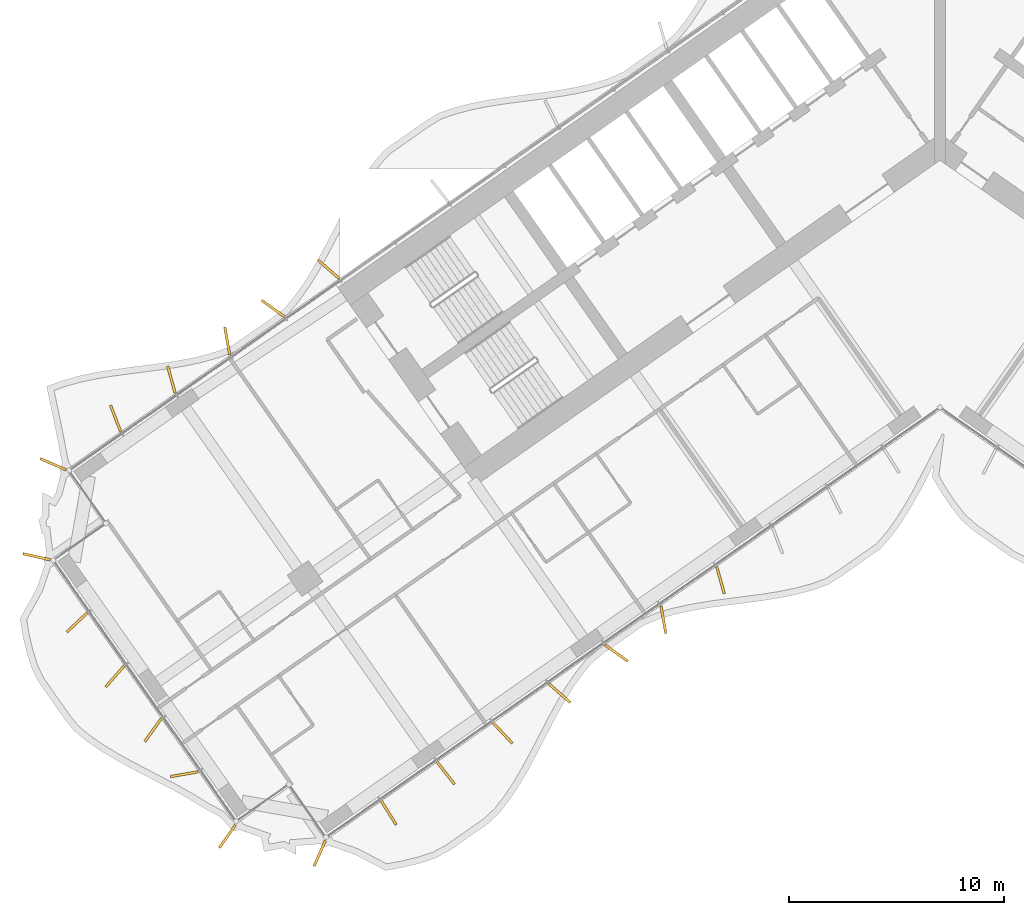
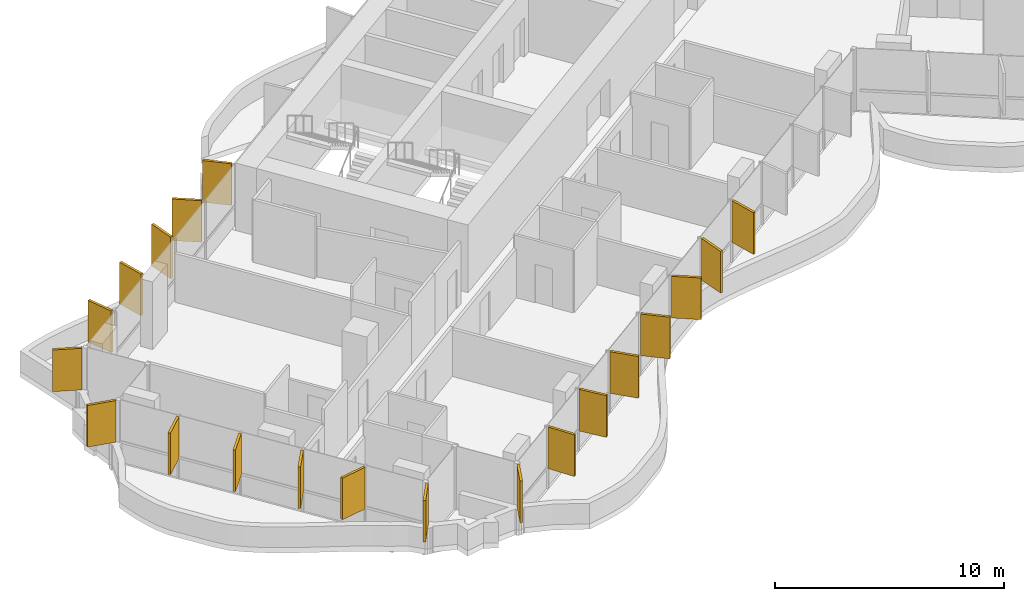
# One storey, part 17 of 22: 20 shading devices.
"""IFC4 building model written with IfcOpenShell, lengths in metres."""

from ifc_helpers import new_model, si_unit, direction, frame, origin, origin_2d, place, context, subcontext, project, spatial, rectangle, extrude, material, layer, layer_set, type_object, element, save


model = new_model("IFC4")

# Units and contexts
model_context = context("Model", 3, precision=1e-05, world=origin(), true_north=direction((0.0, 1.0)))
body_context = subcontext(model_context, "Body", "Model", "MODEL_VIEW")
ifc_project = project(units=[si_unit("LENGTHUNIT", "METRE"), si_unit("AREAUNIT", "SQUARE_METRE"), si_unit("VOLUMEUNIT", "CUBIC_METRE"), si_unit("PLANEANGLEUNIT", "RADIAN"), si_unit("MASSUNIT", "GRAM", prefix="KILO")], contexts=[model_context])

# Site, building, storey
site_placement = place(None, origin())
site = spatial("IfcSite", under=ifc_project, at=site_placement, CompositionType="ELEMENT")
building_placement = place(site_placement, origin())
building = spatial("IfcBuilding", under=site, at=building_placement, Name="Tel Ilan Convention Tower", CompositionType="ELEMENT")
storey_placement = place(building_placement, frame((0.0, 0.0, 122.89990234375)))
storey = spatial("IfcBuildingStorey", under=building, at=storey_placement, Name="L27", CompositionType="ELEMENT", Elevation=122.89990234375)

# Shading devices
ifc_material = material(Name="Aluminium, bronze anodised", Category="aluminium")
ifc_layer = layer(ifc_material, 0.1201171875)
ifc_layer_set = layer_set([ifc_layer], Name="FIN BRONZE 1300x120")
shading_device_type = type_object("IfcShadingDeviceType", Name="FIN BRONZE 1300x120", PredefinedType="USERDEFINED", material=ifc_layer_set)
for number, where, z_axis, x_axis, name in (
    (1, (-28.40380859375, -6.283203125, 1.10009765625), (0.0, 0.0, 1.0), (-0.753435896329, 0.657521368568, 0.0), "FIN"),
    (2, (-30.983154296875, -8.1044921875, 1.10009765625), (0.0, 0.0, 1.0), (-0.813552070258, 0.581492071294, 0.0), "FIN"),
    (3, (-33.107177734375, -9.6142578125, 1.10009765625), (0.0, 0.0, 1.0), (-0.173648177667, 0.984807753012, 0.0), "FIN"),
    (4, (-35.702392578125, -11.408935546875, 1.10009765625), (0.0, 0.0, 1.0), (-0.268172612768, 0.963370878614, 0.0), "FIN"),
    (5, (-38.2958984375, -13.209716796875, 1.10009765625), (0.0, 0.0, 1.0), (-0.360177724803, 0.932883704733, 0.0), "FIN"),
    (6, (-41.19873046875, -15.338134765625, 1.10009765625), (0.0, 0.0, 1.0), (-0.914332505315, 0.404964282034, 0.0), "FIN"),
    (7, (-41.9638671875, -19.637939453125, 1.10009765625), (0.0, 0.0, 1.0), (-0.975235208752, 0.221170268371, 0.0), "FIN"),
    (8, (-40.086181640625, -22.690185546875, 1.10009765625), (0.0, 0.0, 1.0), (-0.727373641577, -0.686241637865, 0.0), "FIN"),
    (9, (-38.32470703125, -25.194580078125, 1.10009765625), (0.0, 0.0, 1.0), (-0.657521368568, -0.753435896329, 0.0), "FIN"),
    (10, (-36.559326171875, -27.6943359375, 1.10009765625), (0.0, 0.0, 1.0), (-0.581492071294, -0.813552070258, 0.0), "FIN"),
    (11, (-35.10498046875, -29.739013671875, 1.10009765625), (0.0, 0.0, 1.0), (-0.984807753012, -0.173648177667, 0.0), "FIN"),
    (12, (-33.10107421875, -32.626220703125, 1.10009765625), (0.0, 0.0, 1.0), (-0.573576436351, -0.819152044289, 0.0), "FIN"),
    (13, (-28.811279296875, -33.4140625, 1.10009765625), (0.0, 0.0, 1.0), (-0.404964282034, -0.914332505315, 0.0), "FIN"),
    (14, (-25.6025390625, -31.540771484375, 1.10009765625), (0.0, 0.0, 1.0), (0.533204432798, -0.845986425922, 0.0), "FIN"),
    (15, (-22.9560546875, -29.6875, 1.10009765625), (0.0, 0.0, 1.0), (0.612600545196, -0.790392669516, 0.0), "FIN"),
    (16, (-20.309814453125, -27.834228515625, 1.10009765625), (0.0, 0.0, 1.0), (0.686241637865, -0.727373641577, 0.0), "FIN"),
    (17, (-17.667724609375, -25.9765625, 1.10009765625), (0.0, 0.0, 1.0), (0.753435896329, -0.657521368568, 0.0), "FIN"),
    (18, (-15.0302734375, -24.114501953125, 1.10009765625), (0.0, 0.0, 1.0), (0.813552070258, -0.581492071294, 0.0), "FIN"),
    (19, (-12.84814453125, -22.56396484375, 1.10009765625), (0.0, 0.0, 1.0), (0.173648177667, -0.984807753012, 0.0), "FIN"),
    (20, (-10.19482421875, -20.728515625, 1.10009765625), (0.0, 0.0, 1.0), (0.268172612768, -0.963370878614, 0.0), "FIN"),
):
    element("IfcShadingDevice", number, at=place(storey_placement, frame(where, z_axis=z_axis, x_axis=x_axis)), inside=storey, type_object=shading_device_type, Name=name, ObjectType="FIN", PredefinedType="USERDEFINED", context=body_context, shape_type="SweptSolid", body=[
        extrude(rectangle(XDim=1.300048828125, YDim=0.1201171875, at=origin_2d()), origin(), (0.0, 0.0, 1.0), 2.219970703125),
    ])

save(model, "model.ifc")
